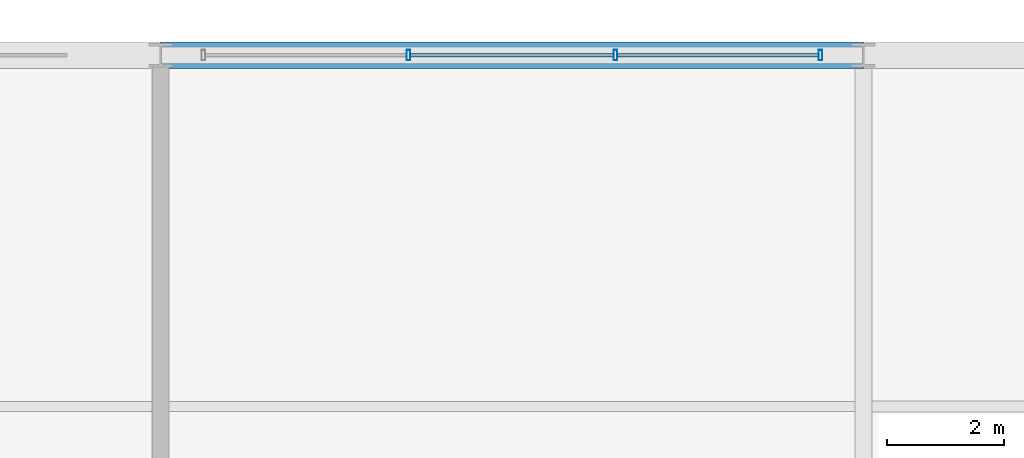
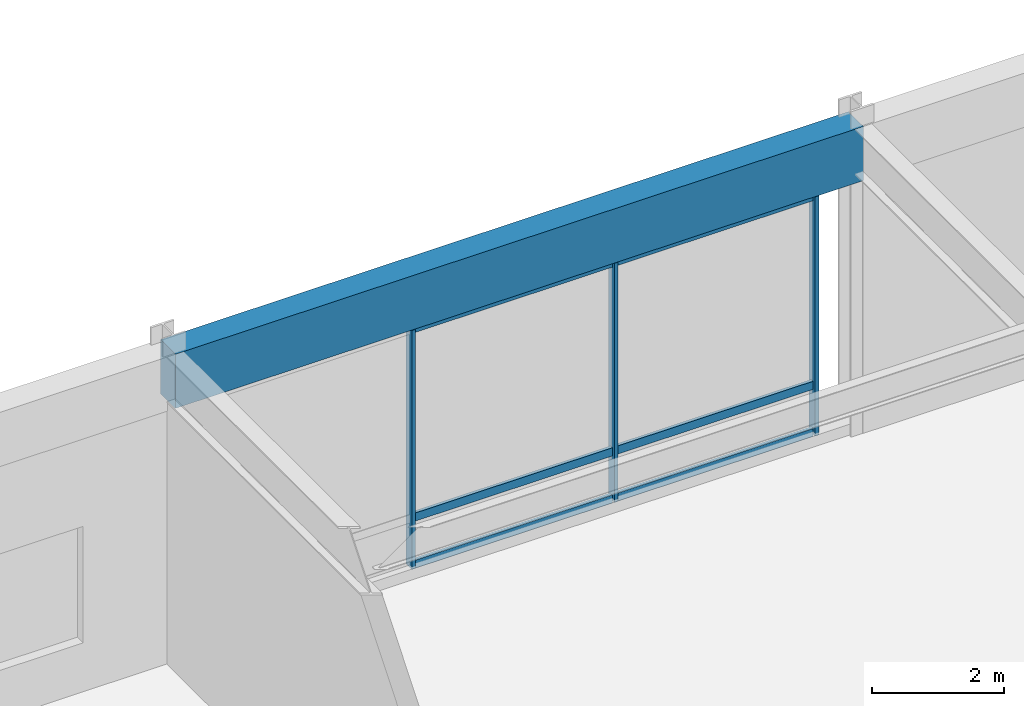
# One storey, part 64 of 105: 9 members, 1 beam, 1 element without a shape of its own.
"""IFC4 building model written with IfcOpenShell, lengths in metres."""

from ifc_helpers import new_model, si_unit, direction, frame, origin, origin_2d, place, context, subcontext, project, spatial, rectangle, hollow_rectangle, extrude, material, material_profile, profile_set, type_object, element, aggregate, save


model = new_model("IFC4")

# Units and contexts
model_context = context("Model", 3, precision=1e-05, world=origin(), true_north=direction((0.0, 1.0)))
body_context = subcontext(model_context, "Body", "Model", "MODEL_VIEW")
ifc_project = project(units=[si_unit("LENGTHUNIT", "METRE"), si_unit("AREAUNIT", "SQUARE_METRE"), si_unit("VOLUMEUNIT", "CUBIC_METRE"), si_unit("PLANEANGLEUNIT", "RADIAN"), si_unit("MASSUNIT", "GRAM", prefix="KILO")], contexts=[model_context])

# Site, building, storey
site_placement = place(None, origin())
site = spatial("IfcSite", under=ifc_project, at=site_placement, CompositionType="ELEMENT")
building_placement = place(site_placement, origin())
building = spatial("IfcBuilding", under=site, at=building_placement, Name="Kaldorvane Square Convention Centre", CompositionType="ELEMENT")
storey_placement = place(building_placement, frame((0.0, 0.0, 6.0)))
storey = spatial("IfcBuildingStorey", under=building, at=storey_placement, Name="L01", CompositionType="ELEMENT", Elevation=6.0)

# Beam
ifc_material_1 = material(Name="Concrete f'c = 42 MPa (Normalweight)", Category="concrete")
ifc_material_profile_1 = material_profile(ifc_material_1, rectangle(XDim=0.4499969482421875, YDim=1.0, at=origin_2d()), Name="RCSP1000X450")
ifc_profile_set_1 = profile_set([ifc_material_profile_1], Name="Concrete f'c = 42 MPa (Normalweight)")
beam_type = type_object("IfcBeamType", Name="BM-SP-RC1000", PredefinedType="SPANDREL", material=ifc_profile_set_1)
beam_placement = place(storey_placement, frame((126.0, 117.0, 5.175994873046875), z_axis=(1.0, 0.0, 0.0), x_axis=(0.0, 1.0, 0.0)))
element("IfcBeam", 1, at=beam_placement, inside=storey, type_object=beam_type, Name="Perimeter Spandrel (L01)", PredefinedType="SPANDREL", context=body_context, shape_type="SweptSolid", body=[
    extrude(rectangle(XDim=0.4499969482421875, YDim=1.0, at=origin_2d()), origin(), (0.0, 0.0, 1.0), 12.0),
])

# Curtain wall, members
ifc_material_2 = material(Name="Anodized Aluminum and Low-E Insulated Glazing", Category="aluminium")
curtain_wall_type = type_object("IfcCurtainWallType", Name="CW-UNI-P60-09", PredefinedType="USERDEFINED", material=ifc_material_2)
curtain_wall_placement = place(storey_placement, origin())
curtain_wall = element("IfcCurtainWall", 2, at=curtain_wall_placement, inside=storey, type_object=curtain_wall_type, Name="Curtain Wall CW-02 (L01)", ObjectType="UNITISED GLAZING", PredefinedType="USERDEFINED")
ifc_material_profile_2 = material_profile(ifc_material_2, hollow_rectangle(XDim=0.06500244140625, YDim=0.17999267578125, WallThickness=0.0034942626953125, at=origin_2d()), Name="CWM-180X65")
ifc_profile_set_2 = profile_set([ifc_material_profile_2], Name="Anodized Aluminum and Low-E Insulated Glazing")
member_type_1 = type_object("IfcMemberType", Name="CW-MUL-180", PredefinedType="MULLION", material=ifc_profile_set_2)
member_1_placement = place(storey_placement, frame((137.2675018310547, 117.0, 0.149993896484375), z_axis=(0.0, 0.0, 1.0), x_axis=(-1.0, 0.0, 0.0)))
member_1 = element("IfcMember", 3, at=member_1_placement, type_object=member_type_1, Name="CW-02 mullion 1", PredefinedType="MULLION", context=body_context, shape_type="SweptSolid", body=[
    extrude(hollow_rectangle(XDim=0.06500244140625, YDim=0.17999267578125, WallThickness=0.0034942626953125, at=origin_2d()), origin(), (0.0, 0.0, 1.0), 4.410003662109375),
])
member_2_placement = place(storey_placement, frame((133.76666259765625, 117.0, 0.149993896484375), z_axis=(0.0, 0.0, 1.0), x_axis=(-1.0, 0.0, 0.0)))
member_2 = element("IfcMember", 4, at=member_2_placement, type_object=member_type_1, Name="CW-02 mullion 2", PredefinedType="MULLION", context=body_context, shape_type="SweptSolid", body=[
    extrude(hollow_rectangle(XDim=0.06500244140625, YDim=0.17999267578125, WallThickness=0.0034942626953125, at=origin_2d()), origin(), (0.0, 0.0, 1.0), 4.410003662109375),
])
member_3_placement = place(storey_placement, frame((130.23333740234375, 117.0, 0.149993896484375), z_axis=(0.0, 0.0, 1.0), x_axis=(-1.0, 0.0, 0.0)))
member_3 = element("IfcMember", 5, at=member_3_placement, type_object=member_type_1, Name="CW-02 mullion 3", PredefinedType="MULLION", context=body_context, shape_type="SweptSolid", body=[
    extrude(hollow_rectangle(XDim=0.06500244140625, YDim=0.17999267578125, WallThickness=0.0034942626953125, at=origin_2d()), origin(), (0.0, 0.0, 1.0), 4.410003662109375),
])
ifc_material_profile_3 = material_profile(ifc_material_2, hollow_rectangle(XDim=0.05999755859375, YDim=0.149993896484375, WallThickness=0.003204345703125, at=origin_2d()), Name="CWT-150X60")
ifc_profile_set_3 = profile_set([ifc_material_profile_3], Name="Anodized Aluminum and Low-E Insulated Glazing")
member_type_2 = type_object("IfcMemberType", Name="CW-TRN-150", PredefinedType="USERDEFINED", material=ifc_profile_set_3)
member_4_placement = place(storey_placement, frame((137.23500061035156, 117.0, 0.17999267578125), z_axis=(-1.0, 0.0, 0.0), x_axis=(0.0, -1.0, 0.0)))
member_4 = element("IfcMember", 6, at=member_4_placement, type_object=member_type_2, Name="CW-02 transom 1.1", ObjectType="TRANSOM", PredefinedType="USERDEFINED", context=body_context, shape_type="SweptSolid", body=[
    extrude(hollow_rectangle(XDim=0.05999755859375, YDim=0.149993896484375, WallThickness=0.003204345703125, at=origin_2d()), origin(), (0.0, 0.0, 1.0), 3.4358367919921875),
])
member_5_placement = place(storey_placement, frame((137.23500061035156, 117.0, 1.0500030517578125), z_axis=(-1.0, 0.0, 0.0), x_axis=(0.0, -1.0, 0.0)))
member_5 = element("IfcMember", 7, at=member_5_placement, type_object=member_type_2, Name="CW-02 transom 1.2", ObjectType="TRANSOM", PredefinedType="USERDEFINED", context=body_context, shape_type="SweptSolid", body=[
    extrude(hollow_rectangle(XDim=0.05999755859375, YDim=0.149993896484375, WallThickness=0.003204345703125, at=origin_2d()), origin(), (0.0, 0.0, 1.0), 3.4358367919921875),
])
member_6_placement = place(storey_placement, frame((137.23500061035156, 117.0, 4.529998779296875), z_axis=(-1.0, 0.0, 0.0), x_axis=(0.0, -1.0, 0.0)))
member_6 = element("IfcMember", 8, at=member_6_placement, type_object=member_type_2, Name="CW-02 transom 1.3", ObjectType="TRANSOM", PredefinedType="USERDEFINED", context=body_context, shape_type="SweptSolid", body=[
    extrude(hollow_rectangle(XDim=0.05999755859375, YDim=0.149993896484375, WallThickness=0.003204345703125, at=origin_2d()), origin(), (0.0, 0.0, 1.0), 3.4358367919921875),
])
member_7_placement = place(storey_placement, frame((133.73416137695312, 117.0, 0.17999267578125), z_axis=(-1.0, 0.0, 0.0), x_axis=(0.0, -1.0, 0.0)))
member_7 = element("IfcMember", 9, at=member_7_placement, type_object=member_type_2, Name="CW-02 transom 2.1", ObjectType="TRANSOM", PredefinedType="USERDEFINED", context=body_context, shape_type="SweptSolid", body=[
    extrude(hollow_rectangle(XDim=0.05999755859375, YDim=0.149993896484375, WallThickness=0.003204345703125, at=origin_2d()), origin(), (0.0, 0.0, 1.0), 3.46832275390625),
])
member_8_placement = place(storey_placement, frame((133.73416137695312, 117.0, 1.0500030517578125), z_axis=(-1.0, 0.0, 0.0), x_axis=(0.0, -1.0, 0.0)))
member_8 = element("IfcMember", 10, at=member_8_placement, type_object=member_type_2, Name="CW-02 transom 2.2", ObjectType="TRANSOM", PredefinedType="USERDEFINED", context=body_context, shape_type="SweptSolid", body=[
    extrude(hollow_rectangle(XDim=0.05999755859375, YDim=0.149993896484375, WallThickness=0.003204345703125, at=origin_2d()), origin(), (0.0, 0.0, 1.0), 3.46832275390625),
])
member_9_placement = place(storey_placement, frame((133.73416137695312, 117.0, 4.529998779296875), z_axis=(-1.0, 0.0, 0.0), x_axis=(0.0, -1.0, 0.0)))
member_9 = element("IfcMember", 11, at=member_9_placement, type_object=member_type_2, Name="CW-02 transom 2.3", ObjectType="TRANSOM", PredefinedType="USERDEFINED", context=body_context, shape_type="SweptSolid", body=[
    extrude(hollow_rectangle(XDim=0.05999755859375, YDim=0.149993896484375, WallThickness=0.003204345703125, at=origin_2d()), origin(), (0.0, 0.0, 1.0), 3.46832275390625),
])
aggregate(curtain_wall, [member_1, member_2, member_3, member_4, member_5, member_6, member_7, member_8, member_9])

save(model, "model.ifc")
